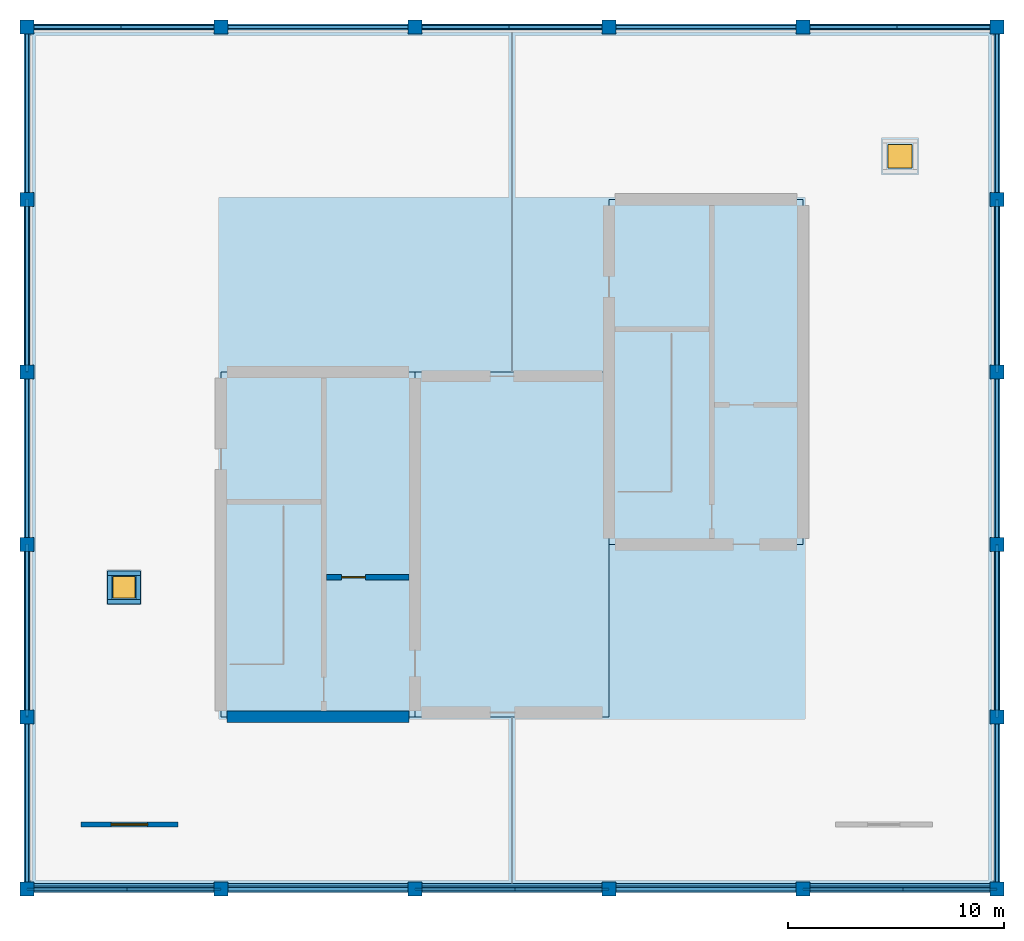
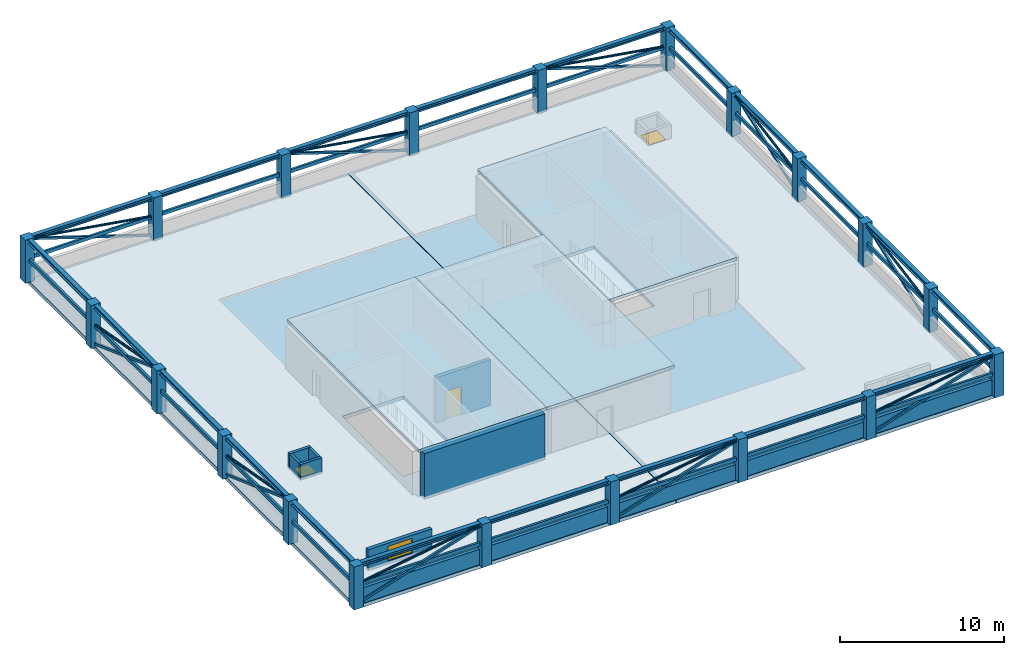
# One storey, part 1 of 3: 40 members, 20 beams, 20 columns, 8 walls, 5 slabs, 3 doors, 1 window, 4 openings.
"""IFC4 building model written with IfcOpenShell, lengths in metres."""

from ifc_helpers import new_model, si_unit, direction, frame, frame_2d, origin, origin_2d, place, context, subcontext, project, spatial, polyline, rectangle, hollow_rectangle, hollow_circle, i_section, outline, extrude, material, layer, layer_set, material_profile, profile_set, type_object, element, fill, save


model = new_model("IFC4")

# Units and contexts
model_context = context("Model", 3, precision=1e-05, world=origin(), true_north=direction((0.0, 1.0)))
body_context = subcontext(model_context, "Body", "Model", "MODEL_VIEW")
ifc_project = project(units=[si_unit("LENGTHUNIT", "METRE"), si_unit("AREAUNIT", "SQUARE_METRE"), si_unit("VOLUMEUNIT", "CUBIC_METRE"), si_unit("PLANEANGLEUNIT", "RADIAN"), si_unit("MASSUNIT", "GRAM", prefix="KILO")], contexts=[model_context])

# Site, building, storey
site_placement = place(None, origin())
site = spatial("IfcSite", under=ifc_project, at=site_placement, CompositionType="ELEMENT")
building_placement = place(site_placement, origin())
building = spatial("IfcBuilding", under=site, at=building_placement, Name="Zaverband Oceanarium and Marine Research Institute", CompositionType="ELEMENT")
storey_placement = place(building_placement, frame((0.0, 0.0, 72.89990234375)))
storey = spatial("IfcBuildingStorey", under=building, at=storey_placement, Name="Roof", CompositionType="ELEMENT", Elevation=72.89990234375)

# Columns
ifc_material_1 = material(Name="Concrete C50/60", Category="concrete")
ifc_material_profile_1 = material_profile(ifc_material_1, rectangle(XDim=0.64990234375, YDim=0.64990234375, at=origin_2d()), Name="RC650x650")
ifc_profile_set_1 = profile_set([ifc_material_profile_1], Name="Concrete C50/60")
column_type = type_object("IfcColumnType", Name="COL-C650", PredefinedType="COLUMN", material=ifc_profile_set_1)
for number, where, z_axis, x_axis, name in (
    (1, (9.0, 72.0, 0.0), (0.0, 0.0, 1.0), (1.0, 0.0, 0.0), "Reinforced concrete column RC650x650 COL-C650"),
    (2, (18.0, 72.0, 0.0), (0.0, 0.0, 1.0), (1.0, 0.0, 0.0), "Reinforced concrete column RC650x650 COL-C650"),
    (3, (27.0, 72.0, 0.0), (0.0, 0.0, 1.0), (1.0, 0.0, 0.0), "Reinforced concrete column RC650x650 COL-C650"),
    (4, (36.0, 72.0, 0.0), (0.0, 0.0, 1.0), (1.0, 0.0, 0.0), "Reinforced concrete column RC650x650 COL-C650"),
    (5, (45.0, 72.0, 0.0), (0.0, 0.0, 1.0), (1.0, 0.0, 0.0), "Reinforced concrete column RC650x650 COL-C650"),
    (6, (54.0, 72.0, 0.0), (0.0, 0.0, 1.0), (1.0, 0.0, 0.0), "Reinforced concrete column RC650x650 COL-C650"),
    (7, (54.0, 80.0, 0.0), (0.0, 0.0, 1.0), (1.0, 0.0, 0.0), "Reinforced concrete column RC650x650 COL-C650"),
    (8, (54.0, 88.0, 0.0), (0.0, 0.0, 1.0), (1.0, 0.0, 0.0), "Reinforced concrete column RC650x650 COL-C650"),
    (9, (54.0, 96.0, 0.0), (0.0, 0.0, 1.0), (1.0, 0.0, 0.0), "Reinforced concrete column RC650x650 COL-C650"),
    (10, (54.0, 104.0, 0.0), (0.0, 0.0, 1.0), (1.0, 0.0, 0.0), "Reinforced concrete column RC650x650 COL-C650"),
    (11, (54.0, 112.0, 0.0), (0.0, 0.0, 1.0), (1.0, 0.0, 0.0), "Reinforced concrete column RC650x650 COL-C650"),
    (12, (45.0, 112.0, 0.0), (0.0, 0.0, 1.0), (1.0, 0.0, 0.0), "Reinforced concrete column RC650x650 COL-C650"),
    (13, (36.0, 112.0, 0.0), (0.0, 0.0, 1.0), (1.0, 0.0, 0.0), "Reinforced concrete column RC650x650 COL-C650"),
    (14, (27.0, 112.0, 0.0), (0.0, 0.0, 1.0), (1.0, 0.0, 0.0), "Reinforced concrete column RC650x650 COL-C650"),
    (15, (18.0, 112.0, 0.0), (0.0, 0.0, 1.0), (1.0, 0.0, 0.0), "Reinforced concrete column RC650x650 COL-C650"),
    (16, (9.0, 112.0, 0.0), (0.0, 0.0, 1.0), (1.0, 0.0, 0.0), "Reinforced concrete column RC650x650 COL-C650"),
    (17, (9.0, 104.0, 0.0), (0.0, 0.0, 1.0), (1.0, 0.0, 0.0), "Reinforced concrete column RC650x650 COL-C650"),
    (18, (9.0, 96.0, 0.0), (0.0, 0.0, 1.0), (1.0, 0.0, 0.0), "Reinforced concrete column RC650x650 COL-C650"),
    (19, (9.0, 88.0, 0.0), (0.0, 0.0, 1.0), (1.0, 0.0, 0.0), "Reinforced concrete column RC650x650 COL-C650"),
    (20, (9.0, 80.0, 0.0), (0.0, 0.0, 1.0), (1.0, 0.0, 0.0), "Reinforced concrete column RC650x650 COL-C650"),
):
    element("IfcColumn", number, at=place(storey_placement, frame(where, z_axis=z_axis, x_axis=x_axis)), inside=storey, type_object=column_type, Name=name, PredefinedType="COLUMN", context=body_context, shape_type="SweptSolid", body=[
        extrude(rectangle(XDim=0.64990234375, YDim=0.64990234375, at=origin_2d()), origin(), (0.0, 0.0, 1.0), 3.2001953125),
    ])

# Members
ifc_material_2 = material(Name="Steel S355", Category="steel")
ifc_material_profile_2 = material_profile(ifc_material_2, hollow_rectangle(XDim=0.14990234375, YDim=0.14990234375, WallThickness=0.008056640625, at=origin_2d()), Name="SHS150x150x8")
ifc_profile_set_2 = profile_set([ifc_material_profile_2], Name="Steel S355")
member_type_1 = type_object("IfcMemberType", Name="BR-04", PredefinedType="BRACE", material=ifc_profile_set_2)
for number, where, z_axis, x_axis, name in (
    (21, (9.0, 72.0, 0.150146484375), (0.951811258605, 0.0, 0.306684411071), (0.0, 1.0, 0.0), "Diagonal lateral brace BR-04"),
    (22, (27.0, 72.0, 0.150146484375), (0.951811258605, 0.0, 0.306684411071), (0.0, 1.0, 0.0), "Diagonal lateral brace BR-04"),
    (23, (45.0, 72.0, 0.150146484375), (0.951811258605, 0.0, 0.306684411071), (0.0, 1.0, 0.0), "Diagonal lateral brace BR-04"),
):
    element("IfcMember", number, at=place(storey_placement, frame(where, z_axis=z_axis, x_axis=x_axis)), inside=storey, type_object=member_type_1, Name=name, PredefinedType="BRACE", context=body_context, shape_type="SweptSolid", body=[
        extrude(hollow_rectangle(XDim=0.14990234375, YDim=0.14990234375, WallThickness=0.008056640625, at=origin_2d()), origin(), (0.0, 0.0, 1.0), 9.45556640625),
    ])
for number, where, z_axis, x_axis, name in (
    (24, (54.0, 80.0, 0.150146484375), (0.0, 0.940139742093, 0.340789180194), (-1.0, 0.0, 0.0), "Diagonal lateral brace BR-04"),
    (25, (54.0, 96.0, 0.150146484375), (0.0, 0.940139742093, 0.340789180194), (-1.0, 0.0, 0.0), "Diagonal lateral brace BR-04"),
):
    element("IfcMember", number, at=place(storey_placement, frame(where, z_axis=z_axis, x_axis=x_axis)), inside=storey, type_object=member_type_1, Name=name, PredefinedType="BRACE", context=body_context, shape_type="SweptSolid", body=[
        extrude(hollow_rectangle(XDim=0.14990234375, YDim=0.14990234375, WallThickness=0.008056640625, at=origin_2d()), origin(), (0.0, 0.0, 1.0), 8.50927734375),
    ])
for number, where, z_axis, x_axis, name in (
    (26, (54.0, 112.0, 0.150146484375), (-0.951811258605, 0.0, 0.306684411071), (0.0, -1.0, 0.0), "Diagonal lateral brace BR-04"),
    (27, (36.0, 112.0, 0.150146484375), (-0.951811258605, 0.0, 0.306684411071), (0.0, -1.0, 0.0), "Diagonal lateral brace BR-04"),
    (28, (18.0, 112.0, 0.150146484375), (-0.951811258605, 0.0, 0.306684411071), (0.0, -1.0, 0.0), "Diagonal lateral brace BR-04"),
):
    element("IfcMember", number, at=place(storey_placement, frame(where, z_axis=z_axis, x_axis=x_axis)), inside=storey, type_object=member_type_1, Name=name, PredefinedType="BRACE", context=body_context, shape_type="SweptSolid", body=[
        extrude(hollow_rectangle(XDim=0.14990234375, YDim=0.14990234375, WallThickness=0.008056640625, at=origin_2d()), origin(), (0.0, 0.0, 1.0), 9.45556640625),
    ])
for number, where, z_axis, x_axis, name in (
    (29, (9.0, 104.0, 0.150146484375), (0.0, -0.940139742093, 0.340789180194), (1.0, 0.0, 0.0), "Diagonal lateral brace BR-04"),
    (30, (9.0, 88.0, 0.150146484375), (0.0, -0.940139742093, 0.340789180194), (1.0, 0.0, 0.0), "Diagonal lateral brace BR-04"),
):
    element("IfcMember", number, at=place(storey_placement, frame(where, z_axis=z_axis, x_axis=x_axis)), inside=storey, type_object=member_type_1, Name=name, PredefinedType="BRACE", context=body_context, shape_type="SweptSolid", body=[
        extrude(hollow_rectangle(XDim=0.14990234375, YDim=0.14990234375, WallThickness=0.008056640625, at=origin_2d()), origin(), (0.0, 0.0, 1.0), 8.50927734375),
    ])
ifc_material_profile_3 = material_profile(ifc_material_2, hollow_rectangle(XDim=0.14990234375, YDim=0.25, WallThickness=0.010009765625, at=origin_2d()), Name="RHS250x150x10")
ifc_profile_set_3 = profile_set([ifc_material_profile_3], Name="Steel S355")
member_type_2 = type_object("IfcMemberType", Name="CHD-RHS250", PredefinedType="CHORD", material=ifc_profile_set_3)
for number, where, z_axis, x_axis, name in (
    (31, (9.0, 72.0, 1.60009765625), (1.0, 0.0, 0.0), (0.0, 1.0, 0.0), "Truss / crown chord CHD-RHS250"),
    (32, (18.0, 72.0, 1.60009765625), (1.0, 0.0, 0.0), (0.0, 1.0, 0.0), "Truss / crown chord CHD-RHS250"),
    (33, (27.0, 72.0, 1.60009765625), (1.0, 0.0, 0.0), (0.0, 1.0, 0.0), "Truss / crown chord CHD-RHS250"),
    (34, (36.0, 72.0, 1.60009765625), (1.0, 0.0, 0.0), (0.0, 1.0, 0.0), "Truss / crown chord CHD-RHS250"),
    (35, (45.0, 72.0, 1.60009765625), (1.0, 0.0, 0.0), (0.0, 1.0, 0.0), "Truss / crown chord CHD-RHS250"),
):
    element("IfcMember", number, at=place(storey_placement, frame(where, z_axis=z_axis, x_axis=x_axis)), inside=storey, type_object=member_type_2, Name=name, PredefinedType="CHORD", context=body_context, shape_type="SweptSolid", body=[
        extrude(hollow_rectangle(XDim=0.14990234375, YDim=0.25, WallThickness=0.010009765625, at=origin_2d()), origin(), (0.0, 0.0, 1.0), 9.0),
    ])
for number, where, z_axis, x_axis, name in (
    (36, (54.0, 72.0, 1.60009765625), (0.0, 1.0, 0.0), (-1.0, 0.0, 0.0), "Truss / crown chord CHD-RHS250"),
    (37, (54.0, 80.0, 1.60009765625), (0.0, 1.0, 0.0), (-1.0, 0.0, 0.0), "Truss / crown chord CHD-RHS250"),
    (38, (54.0, 88.0, 1.60009765625), (0.0, 1.0, 0.0), (-1.0, 0.0, 0.0), "Truss / crown chord CHD-RHS250"),
    (39, (54.0, 96.0, 1.60009765625), (0.0, 1.0, 0.0), (-1.0, 0.0, 0.0), "Truss / crown chord CHD-RHS250"),
    (40, (54.0, 104.0, 1.60009765625), (0.0, 1.0, 0.0), (-1.0, 0.0, 0.0), "Truss / crown chord CHD-RHS250"),
):
    element("IfcMember", number, at=place(storey_placement, frame(where, z_axis=z_axis, x_axis=x_axis)), inside=storey, type_object=member_type_2, Name=name, PredefinedType="CHORD", context=body_context, shape_type="SweptSolid", body=[
        extrude(hollow_rectangle(XDim=0.14990234375, YDim=0.25, WallThickness=0.010009765625, at=origin_2d()), origin(), (0.0, 0.0, 1.0), 8.0),
    ])
for number, where, z_axis, x_axis, name in (
    (41, (54.0, 112.0, 1.60009765625), (-1.0, 0.0, 0.0), (0.0, -1.0, 0.0), "Truss / crown chord CHD-RHS250"),
    (42, (45.0, 112.0, 1.60009765625), (-1.0, 0.0, 0.0), (0.0, -1.0, 0.0), "Truss / crown chord CHD-RHS250"),
    (43, (36.0, 112.0, 1.60009765625), (-1.0, 0.0, 0.0), (0.0, -1.0, 0.0), "Truss / crown chord CHD-RHS250"),
    (44, (27.0, 112.0, 1.60009765625), (-1.0, 0.0, 0.0), (0.0, -1.0, 0.0), "Truss / crown chord CHD-RHS250"),
    (45, (18.0, 112.0, 1.60009765625), (-1.0, 0.0, 0.0), (0.0, -1.0, 0.0), "Truss / crown chord CHD-RHS250"),
):
    element("IfcMember", number, at=place(storey_placement, frame(where, z_axis=z_axis, x_axis=x_axis)), inside=storey, type_object=member_type_2, Name=name, PredefinedType="CHORD", context=body_context, shape_type="SweptSolid", body=[
        extrude(hollow_rectangle(XDim=0.14990234375, YDim=0.25, WallThickness=0.010009765625, at=origin_2d()), origin(), (0.0, 0.0, 1.0), 9.0),
    ])
for number, where, z_axis, x_axis, name in (
    (46, (9.0, 112.0, 1.60009765625), (0.0, -1.0, 0.0), (1.0, 0.0, 0.0), "Truss / crown chord CHD-RHS250"),
    (47, (9.0, 104.0, 1.60009765625), (0.0, -1.0, 0.0), (1.0, 0.0, 0.0), "Truss / crown chord CHD-RHS250"),
    (48, (9.0, 96.0, 1.60009765625), (0.0, -1.0, 0.0), (1.0, 0.0, 0.0), "Truss / crown chord CHD-RHS250"),
    (49, (9.0, 88.0, 1.60009765625), (0.0, -1.0, 0.0), (1.0, 0.0, 0.0), "Truss / crown chord CHD-RHS250"),
    (50, (9.0, 80.0, 1.60009765625), (0.0, -1.0, 0.0), (1.0, 0.0, 0.0), "Truss / crown chord CHD-RHS250"),
):
    element("IfcMember", number, at=place(storey_placement, frame(where, z_axis=z_axis, x_axis=x_axis)), inside=storey, type_object=member_type_2, Name=name, PredefinedType="CHORD", context=body_context, shape_type="SweptSolid", body=[
        extrude(hollow_rectangle(XDim=0.14990234375, YDim=0.25, WallThickness=0.010009765625, at=origin_2d()), origin(), (0.0, 0.0, 1.0), 8.0),
    ])

# Beams
ifc_material_profile_4 = material_profile(ifc_material_2, i_section(OverallWidth=0.300048828125, OverallDepth=0.300048828125, WebThickness=0.010986328125, FlangeThickness=0.01904296875, FilletRadius=0.027099609375, at=origin_2d()), Name="HEB300")
ifc_profile_set_4 = profile_set([ifc_material_profile_4], Name="Steel S355")
beam_type = type_object("IfcBeamType", Name="SB-HEB300", PredefinedType="BEAM", material=ifc_profile_set_4)
for number, where, z_axis, x_axis, name in (
    (51, (9.0, 72.0, 3.050048828125), (1.0, 0.0, 0.0), (0.0, 1.0, 0.0), "Crown frame edge girder SB-HEB300"),
    (52, (18.0, 72.0, 3.050048828125), (1.0, 0.0, 0.0), (0.0, 1.0, 0.0), "Crown frame edge girder SB-HEB300"),
    (53, (27.0, 72.0, 3.050048828125), (1.0, 0.0, 0.0), (0.0, 1.0, 0.0), "Crown frame edge girder SB-HEB300"),
    (54, (36.0, 72.0, 3.050048828125), (1.0, 0.0, 0.0), (0.0, 1.0, 0.0), "Crown frame edge girder SB-HEB300"),
    (55, (45.0, 72.0, 3.050048828125), (1.0, 0.0, 0.0), (0.0, 1.0, 0.0), "Crown frame edge girder SB-HEB300"),
):
    element("IfcBeam", number, at=place(storey_placement, frame(where, z_axis=z_axis, x_axis=x_axis)), inside=storey, type_object=beam_type, Name=name, PredefinedType="BEAM", context=body_context, shape_type="SweptSolid", body=[
        extrude(i_section(OverallWidth=0.300048828125, OverallDepth=0.300048828125, WebThickness=0.010986328125, FlangeThickness=0.01904296875, FilletRadius=0.027099609375, at=origin_2d()), origin(), (0.0, 0.0, 1.0), 9.0),
    ])
for number, where, z_axis, x_axis, name in (
    (56, (54.0, 72.0, 3.050048828125), (0.0, 1.0, 0.0), (-1.0, 0.0, 0.0), "Crown frame edge girder SB-HEB300"),
    (57, (54.0, 80.0, 3.050048828125), (0.0, 1.0, 0.0), (-1.0, 0.0, 0.0), "Crown frame edge girder SB-HEB300"),
    (58, (54.0, 88.0, 3.050048828125), (0.0, 1.0, 0.0), (-1.0, 0.0, 0.0), "Crown frame edge girder SB-HEB300"),
    (59, (54.0, 96.0, 3.050048828125), (0.0, 1.0, 0.0), (-1.0, 0.0, 0.0), "Crown frame edge girder SB-HEB300"),
    (60, (54.0, 104.0, 3.050048828125), (0.0, 1.0, 0.0), (-1.0, 0.0, 0.0), "Crown frame edge girder SB-HEB300"),
):
    element("IfcBeam", number, at=place(storey_placement, frame(where, z_axis=z_axis, x_axis=x_axis)), inside=storey, type_object=beam_type, Name=name, PredefinedType="BEAM", context=body_context, shape_type="SweptSolid", body=[
        extrude(i_section(OverallWidth=0.300048828125, OverallDepth=0.300048828125, WebThickness=0.010986328125, FlangeThickness=0.01904296875, FilletRadius=0.027099609375, at=origin_2d()), origin(), (0.0, 0.0, 1.0), 8.0),
    ])
for number, where, z_axis, x_axis, name in (
    (61, (54.0, 112.0, 3.050048828125), (-1.0, 0.0, 0.0), (0.0, -1.0, 0.0), "Crown frame edge girder SB-HEB300"),
    (62, (45.0, 112.0, 3.050048828125), (-1.0, 0.0, 0.0), (0.0, -1.0, 0.0), "Crown frame edge girder SB-HEB300"),
    (63, (36.0, 112.0, 3.050048828125), (-1.0, 0.0, 0.0), (0.0, -1.0, 0.0), "Crown frame edge girder SB-HEB300"),
    (64, (27.0, 112.0, 3.050048828125), (-1.0, 0.0, 0.0), (0.0, -1.0, 0.0), "Crown frame edge girder SB-HEB300"),
    (65, (18.0, 112.0, 3.050048828125), (-1.0, 0.0, 0.0), (0.0, -1.0, 0.0), "Crown frame edge girder SB-HEB300"),
):
    element("IfcBeam", number, at=place(storey_placement, frame(where, z_axis=z_axis, x_axis=x_axis)), inside=storey, type_object=beam_type, Name=name, PredefinedType="BEAM", context=body_context, shape_type="SweptSolid", body=[
        extrude(i_section(OverallWidth=0.300048828125, OverallDepth=0.300048828125, WebThickness=0.010986328125, FlangeThickness=0.01904296875, FilletRadius=0.027099609375, at=origin_2d()), origin(), (0.0, 0.0, 1.0), 9.0),
    ])
for number, where, z_axis, x_axis, name in (
    (66, (9.0, 112.0, 3.050048828125), (0.0, -1.0, 0.0), (1.0, 0.0, 0.0), "Crown frame edge girder SB-HEB300"),
    (67, (9.0, 104.0, 3.050048828125), (0.0, -1.0, 0.0), (1.0, 0.0, 0.0), "Crown frame edge girder SB-HEB300"),
    (68, (9.0, 96.0, 3.050048828125), (0.0, -1.0, 0.0), (1.0, 0.0, 0.0), "Crown frame edge girder SB-HEB300"),
    (69, (9.0, 88.0, 3.050048828125), (0.0, -1.0, 0.0), (1.0, 0.0, 0.0), "Crown frame edge girder SB-HEB300"),
    (70, (9.0, 80.0, 3.050048828125), (0.0, -1.0, 0.0), (1.0, 0.0, 0.0), "Crown frame edge girder SB-HEB300"),
):
    element("IfcBeam", number, at=place(storey_placement, frame(where, z_axis=z_axis, x_axis=x_axis)), inside=storey, type_object=beam_type, Name=name, PredefinedType="BEAM", context=body_context, shape_type="SweptSolid", body=[
        extrude(i_section(OverallWidth=0.300048828125, OverallDepth=0.300048828125, WebThickness=0.010986328125, FlangeThickness=0.01904296875, FilletRadius=0.027099609375, at=origin_2d()), origin(), (0.0, 0.0, 1.0), 8.0),
    ])

# Members
ifc_material_profile_5 = material_profile(ifc_material_2, hollow_circle(Radius=0.084228515625, WallThickness=0.00634765625, at=origin_2d()), Name="CHS168x6.3")
ifc_profile_set_5 = profile_set([ifc_material_profile_5], Name="Steel S355")
member_type_3 = type_object("IfcMemberType", Name="STR-CHS168", PredefinedType="STRUT", material=ifc_profile_set_5)
for number, where, z_axis, x_axis, name in (
    (71, (9.0, 72.0, 1.60009765625), (0.987269760288, 0.0, 0.159054771765), (0.0, 1.0, 0.0), "Canopy / tank strut STR-CHS168"),
    (72, (27.0, 72.0, 1.60009765625), (0.987269760288, 0.0, 0.159054771765), (0.0, 1.0, 0.0), "Canopy / tank strut STR-CHS168"),
    (73, (45.0, 72.0, 1.60009765625), (0.987269760288, 0.0, 0.159054771765), (0.0, 1.0, 0.0), "Canopy / tank strut STR-CHS168"),
):
    element("IfcMember", number, at=place(storey_placement, frame(where, z_axis=z_axis, x_axis=x_axis)), inside=storey, type_object=member_type_3, Name=name, PredefinedType="STRUT", context=body_context, shape_type="SweptSolid", body=[
        extrude(hollow_circle(Radius=0.084228515625, WallThickness=0.00634765625, at=origin_2d()), origin(), (0.0, 0.0, 1.0), 9.115966796875),
    ])
for number, where, z_axis, x_axis, name in (
    (74, (54.0, 80.0, 1.60009765625), (0.0, 0.983969211964, 0.178338413997), (-1.0, 0.0, 0.0), "Canopy / tank strut STR-CHS168"),
    (75, (54.0, 96.0, 1.60009765625), (0.0, 0.983969211964, 0.178338413997), (-1.0, 0.0, 0.0), "Canopy / tank strut STR-CHS168"),
):
    element("IfcMember", number, at=place(storey_placement, frame(where, z_axis=z_axis, x_axis=x_axis)), inside=storey, type_object=member_type_3, Name=name, PredefinedType="STRUT", context=body_context, shape_type="SweptSolid", body=[
        extrude(hollow_circle(Radius=0.084228515625, WallThickness=0.00634765625, at=origin_2d()), origin(), (0.0, 0.0, 1.0), 8.13037109375),
    ])
for number, where, z_axis, x_axis, name in (
    (76, (54.0, 112.0, 1.60009765625), (-0.987269760288, 0.0, 0.159054771765), (0.0, -1.0, 0.0), "Canopy / tank strut STR-CHS168"),
    (77, (36.0, 112.0, 1.60009765625), (-0.987269760288, 0.0, 0.159054771765), (0.0, -1.0, 0.0), "Canopy / tank strut STR-CHS168"),
    (78, (18.0, 112.0, 1.60009765625), (-0.987269760288, 0.0, 0.159054771765), (0.0, -1.0, 0.0), "Canopy / tank strut STR-CHS168"),
):
    element("IfcMember", number, at=place(storey_placement, frame(where, z_axis=z_axis, x_axis=x_axis)), inside=storey, type_object=member_type_3, Name=name, PredefinedType="STRUT", context=body_context, shape_type="SweptSolid", body=[
        extrude(hollow_circle(Radius=0.084228515625, WallThickness=0.00634765625, at=origin_2d()), origin(), (0.0, 0.0, 1.0), 9.115966796875),
    ])
for number, where, z_axis, x_axis, name in (
    (79, (9.0, 104.0, 1.60009765625), (0.0, -0.983969211964, 0.178338413997), (1.0, 0.0, 0.0), "Canopy / tank strut STR-CHS168"),
    (80, (9.0, 88.0, 1.60009765625), (0.0, -0.983969211964, 0.178338413997), (1.0, 0.0, 0.0), "Canopy / tank strut STR-CHS168"),
):
    element("IfcMember", number, at=place(storey_placement, frame(where, z_axis=z_axis, x_axis=x_axis)), inside=storey, type_object=member_type_3, Name=name, PredefinedType="STRUT", context=body_context, shape_type="SweptSolid", body=[
        extrude(hollow_circle(Radius=0.084228515625, WallThickness=0.00634765625, at=origin_2d()), origin(), (0.0, 0.0, 1.0), 8.13037109375),
    ])

# Slabs
ifc_material_3 = material(Name="Concrete C40/50", Category="concrete")
ifc_layer_1 = layer(ifc_material_3, 0.219970703125, Name="Concrete C40/50")
ifc_layer_set_1 = layer_set([ifc_layer_1], Name="Concrete C40/50")
slab_type_1 = type_object("IfcSlabType", Name="SLB-CAP-220", PredefinedType="FLOOR", material=ifc_layer_set_1)
slab_1_placement = place(storey_placement, frame((0.0, 0.0, 3.380126953125)))
element("IfcSlab", 81, at=slab_1_placement, inside=storey, type_object=slab_type_1, Name="Overrun cap deck slab SLB-CAP-220", PredefinedType="FLOOR", context=body_context, shape_type="SweptSolid", body=[
    extrude(outline(polyline([(18.0, 80.0), (27.0, 80.0), (27.0, 96.0), (18.0, 96.0), (18.0, 80.0)])), origin(), (0.0, 0.0, 1.0), 0.219970703125),
])
slab_2_placement = place(storey_placement, frame((0.0, 0.0, 3.380126953125)))
element("IfcSlab", 82, at=slab_2_placement, inside=storey, type_object=slab_type_1, Name="Overrun cap deck slab SLB-CAP-220", PredefinedType="FLOOR", context=body_context, shape_type="SweptSolid", body=[
    extrude(outline(polyline([(36.0, 88.0), (45.0, 88.0), (45.0, 104.0), (36.0, 104.0), (36.0, 88.0)])), origin(), (0.0, 0.0, 1.0), 0.219970703125),
])
slab_3_placement = place(storey_placement, frame((0.0, 0.0, 3.380126953125)))
element("IfcSlab", 83, at=slab_3_placement, inside=storey, type_object=slab_type_1, Name="Overrun cap deck slab SLB-CAP-220", PredefinedType="FLOOR", context=body_context, shape_type="SweptSolid", body=[
    extrude(outline(polyline([(27.0, 80.0), (36.0, 80.0), (36.0, 96.0), (27.0, 96.0), (27.0, 80.0)])), origin(), (0.0, 0.0, 1.0), 0.219970703125),
])

# Slab, opening, door
ifc_layer_2 = layer(ifc_material_3, 0.260009765625, Name="Concrete C40/50")
ifc_layer_set_2 = layer_set([ifc_layer_2], Name="Concrete C40/50")
slab_type_2 = type_object("IfcSlabType", Name="SLB-ROOF-260", PredefinedType="ROOF", material=ifc_layer_set_2)
slab_4_placement = place(storey_placement, frame((0.0, 0.0, -0.260009765625)))
slab_4 = element("IfcSlab", 84, at=slab_4_placement, inside=storey, type_object=slab_type_2, Name="Solar roof maintenance deck slab SLB-ROOF-260", PredefinedType="ROOF", context=body_context, shape_type="SweptSolid", body=[
    extrude(outline(polyline([(9.0, 112.0), (31.485107421875, 112.0), (31.485107421875, 72.0), (9.0, 72.0), (9.0, 112.0)]), holes=[polyline([(18.35009765625, 82.5), (22.64990234375, 82.5), (22.64990234375, 89.85009765625), (18.35009765625, 89.85009765625), (18.35009765625, 82.5)])]), origin(), (0.0, 0.0, 1.0), 0.260009765625),
])
opening_1_placement = place(slab_4_placement, frame((13.5, 86.0, -0.011962890625)))
opening_1 = element("IfcOpeningElement", 85, at=opening_1_placement, cuts=slab_4, Name="Opening RH-01", PredefinedType="OPENING", context=body_context, shape_type="SweptSolid", body=[
    extrude(rectangle(XDim=1.0, YDim=1.0, at=origin_2d()), origin(), (0.0, 0.0, 1.0), 0.283935546875),
])
door_type_1 = type_object("IfcDoorType", Name="RH-01", OperationType="SWING_FIXED_LEFT", PredefinedType="TRAPDOOR", material=ifc_material_2)
door_1_placement = place(slab_4_placement, frame((13.5, 86.0, 0.2099609375)))
door_1 = element("IfcDoor", 86, at=door_1_placement, inside=storey, type_object=door_type_1, Name="Insulated roof maintenance access hatch RH-01", OperationType="SWING_FIXED_LEFT", OverallHeight=1.0, OverallWidth=1.0, PredefinedType="TRAPDOOR", context=body_context, shape_type="SweptSolid", body=[
    extrude(rectangle(XDim=1.0, YDim=1.0, at=origin_2d()), origin(), (0.0, 0.0, 1.0), 0.050048828125),
])
fill(opening_1, door_1)

slab_5_placement = place(storey_placement, frame((0.0, 0.0, -0.260009765625)))
slab_5 = element("IfcSlab", 87, at=slab_5_placement, inside=storey, type_object=slab_type_2, Name="Solar roof maintenance deck slab SLB-ROOF-260", PredefinedType="ROOF", context=body_context, shape_type="SweptSolid", body=[
    extrude(outline(polyline([(31.514892578125, 112.0), (54.0, 112.0), (54.0, 72.0), (31.514892578125, 72.0), (31.514892578125, 112.0)]), holes=[polyline([(36.35009765625, 90.5), (40.64990234375, 90.5), (40.64990234375, 97.85009765625), (36.35009765625, 97.85009765625), (36.35009765625, 90.5)])]), origin(), (0.0, 0.0, 1.0), 0.260009765625),
])
opening_2_placement = place(slab_5_placement, frame((49.5, 106.0, -0.011962890625)))
opening_2 = element("IfcOpeningElement", 88, at=opening_2_placement, cuts=slab_5, Name="Opening RH-02", PredefinedType="OPENING", context=body_context, shape_type="SweptSolid", body=[
    extrude(rectangle(XDim=1.10009765625, YDim=1.10009765625, at=origin_2d()), origin(), (0.0, 0.0, 1.0), 0.283935546875),
])
door_type_2 = type_object("IfcDoorType", Name="RH-02", OperationType="SWING_FIXED_LEFT", PredefinedType="TRAPDOOR", material=ifc_material_2)
door_2_placement = place(slab_5_placement, frame((49.5, 106.0, 0.2099609375)))
door_2 = element("IfcDoor", 89, at=door_2_placement, inside=storey, type_object=door_type_2, Name="Tank / plant roof access hatch RH-02", OperationType="SWING_FIXED_LEFT", OverallHeight=1.10009765625, OverallWidth=1.10009765625, PredefinedType="TRAPDOOR", context=body_context, shape_type="SweptSolid", body=[
    extrude(rectangle(XDim=1.10009765625, YDim=1.10009765625, at=origin_2d()), origin(), (0.0, 0.0, 1.0), 0.050048828125),
])
fill(opening_2, door_2)

# Wall, opening, window
ifc_layer_3 = layer(ifc_material_3, 0.2451171875, Name="Concrete C40/50")
ifc_layer_set_3 = layer_set([ifc_layer_3], Name="Concrete C40/50")
wall_type_1 = type_object("IfcWallType", Name="CRB-245", PredefinedType="PARAPET", material=ifc_layer_set_3)
wall_1_placement = place(storey_placement, frame((11.5, 75.0, 0.0), z_axis=(0.0, 0.0, 1.0), x_axis=(1.0, 0.0, 0.0)))
wall_1 = element("IfcWall", 90, at=wall_1_placement, inside=storey, type_object=wall_type_1, Name="Roof parapet upstand CRB-245", PredefinedType="PARAPET", context=body_context, shape_type="SweptSolid", body=[
    extrude(rectangle(XDim=4.5, YDim=0.2451171875, at=frame_2d((2.25, 0.0))), origin(), (0.0, 0.0, 1.0), 1.550048828125),
])
opening_3_placement = place(wall_1_placement, frame((1.39990234375, 0.0, 0.219970703125)))
opening_3 = element("IfcOpeningElement", 91, at=opening_3_placement, cuts=wall_1, Name="Opening SKY-1700x1100", PredefinedType="OPENING", context=body_context, shape_type="SweptSolid", body=[
    extrude(rectangle(XDim=1.699951171875, YDim=1.10009765625, at=frame_2d((0.85009765625, 0.550048828125))), frame((0.0, 0.134521484375, 0.0), z_axis=(0.0, -1.0, 0.0), x_axis=(1.0, 0.0, 0.0)), (0.0, 0.0, 1.0), 0.26904296875),
])
ifc_material_4 = material(Name="Thermally broken aluminium and laminated solar-control glass", Category="aluminium")
window_type = type_object("IfcWindowType", Name="SKY-1700x1100", PartitioningType="SINGLE_PANEL", PredefinedType="SKYLIGHT", material=ifc_material_4)
window_placement = place(opening_3_placement, origin())
window = element("IfcWindow", 92, at=window_placement, inside=storey, type_object=window_type, Name="Insulated roof skylight SKY-1700x1100", OverallHeight=1.10009765625, OverallWidth=1.699951171875, PartitioningType="SINGLE_PANEL", PredefinedType="SKYLIGHT", context=body_context, shape_type="SweptSolid", body=[
    extrude(rectangle(XDim=1.699951171875, YDim=1.10009765625, at=frame_2d((0.85009765625, 0.550048828125))), frame((0.0, 0.030029296875, 0.0), z_axis=(0.0, -1.0, 0.0), x_axis=(1.0, 0.0, 0.0)), (0.0, 0.0, 1.0), 0.06005859375),
])
fill(opening_3, window)

# Walls
ifc_layer_4 = layer(ifc_material_1, 0.550048828125, Name="Concrete C50/60")
ifc_layer_set_4 = layer_set([ifc_layer_4], Name="Concrete C50/60")
wall_type_2 = type_object("IfcWallType", Name="CW-01", PredefinedType="SHEAR", material=ifc_layer_set_4)
wall_2_placement = place(storey_placement, frame((18.27490234375, 80.0, 0.0), z_axis=(0.0, 0.0, 1.0), x_axis=(1.0, 0.0, 0.0)))
element("IfcWall", 93, at=wall_2_placement, inside=storey, type_object=wall_type_2, Name="Structural shear wall CW-01", PredefinedType="SHEAR", context=body_context, shape_type="SweptSolid", body=[
    extrude(rectangle(XDim=8.4501953125, YDim=0.550048828125, at=frame_2d((4.22509765625, 0.0))), origin(), (0.0, 0.0, 1.0), 3.380126953125),
])
ifc_layer_5 = layer(ifc_material_3, 0.195068359375, Name="Concrete C40/50")
ifc_layer_set_5 = layer_set([ifc_layer_5], Name="Concrete C40/50")
wall_type_3 = type_object("IfcWallType", Name="PAR-195", PredefinedType="PARAPET", material=ifc_layer_set_5)
for number, where, z_axis, x_axis, name in (
    (94, (12.742431640625, 85.340087890625, 0.0), (0.0, 0.0, 1.0), (1.0, 0.0, 0.0), "Roof parapet upstand PAR-195"),
    (95, (12.742431640625, 86.659912109375, 0.0), (0.0, 0.0, 1.0), (1.0, 0.0, 0.0), "Roof parapet upstand PAR-195"),
):
    element("IfcWall", number, at=place(storey_placement, frame(where, z_axis=z_axis, x_axis=x_axis)), inside=storey, type_object=wall_type_3, Name=name, PredefinedType="PARAPET", context=body_context, shape_type="SweptSolid", body=[
        extrude(rectangle(XDim=1.51513671875, YDim=0.195068359375, at=frame_2d((0.757568359375, 0.0))), origin(), (0.0, 0.0, 1.0), 1.150146484375),
    ])
for number, where, z_axis, x_axis, name in (
    (96, (12.840087890625, 85.4375, 0.0), (0.0, 0.0, 1.0), (0.0, 1.0, 0.0), "Roof parapet upstand PAR-195"),
    (97, (14.159912109375, 85.4375, 0.0), (0.0, 0.0, 1.0), (0.0, 1.0, 0.0), "Roof parapet upstand PAR-195"),
):
    element("IfcWall", number, at=place(storey_placement, frame(where, z_axis=z_axis, x_axis=x_axis)), inside=storey, type_object=wall_type_3, Name=name, PredefinedType="PARAPET", context=body_context, shape_type="SweptSolid", body=[
        extrude(rectangle(XDim=1.125, YDim=0.195068359375, at=frame_2d((0.5625, 0.0))), origin(), (0.0, 0.0, 1.0), 1.150146484375),
    ])
ifc_layer_6 = layer(ifc_material_3, 0.22998046875, Name="Concrete C40/50")
ifc_layer_set_6 = layer_set([ifc_layer_6], Name="Concrete C40/50")
wall_type_4 = type_object("IfcWallType", Name="PAR-230", PredefinedType="PARAPET", material=ifc_layer_set_6)
wall_3_placement = place(storey_placement, frame((9.199951171875, 72.14990234375, 0.0), z_axis=(0.0, 0.0, 1.0), x_axis=(1.0, 0.0, 0.0)))
element("IfcWall", 98, at=wall_3_placement, inside=storey, type_object=wall_type_4, Name="Roof parapet upstand PAR-230", PredefinedType="PARAPET", context=body_context, shape_type="SweptSolid", body=[
    extrude(rectangle(XDim=44.60009765625, YDim=0.22998046875, at=frame_2d((22.300048828125, 0.0))), origin(), (0.0, 0.0, 1.0), 1.150146484375),
])

# Wall, opening, door
ifc_layer_7 = layer(ifc_material_1, 0.25, Name="Concrete C50/60")
ifc_layer_set_7 = layer_set([ifc_layer_7], Name="Concrete C50/60")
wall_type_5 = type_object("IfcWallType", Name="PW-CORE-250", PredefinedType="SOLIDWALL", material=ifc_layer_set_7)
wall_4_placement = place(storey_placement, frame((22.905029296875, 86.47509765625, 0.0), z_axis=(0.0, 0.0, 1.0), x_axis=(1.0, 0.0, 0.0)))
wall_4 = element("IfcWall", 99, at=wall_4_placement, inside=storey, type_object=wall_type_5, Name="Structural concrete wall PW-CORE-250", PredefinedType="SOLIDWALL", context=body_context, shape_type="SweptSolid", body=[
    extrude(rectangle(XDim=3.820068359375, YDim=0.25, at=frame_2d((1.91015625, 0.0))), origin(), (0.0, 0.0, 1.0), 3.380126953125),
])
opening_4_placement = place(wall_4_placement, frame((0.695068359375, 0.0, 0.0)))
opening_4 = element("IfcOpeningElement", 100, at=opening_4_placement, cuts=wall_4, Name="Opening LD-01", PredefinedType="OPENING", context=body_context, shape_type="SweptSolid", body=[
    extrude(rectangle(XDim=1.10009765625, YDim=2.1201171875, at=frame_2d((0.550048828125, 1.06005859375))), frame((0.0, 0.136962890625, 0.0), z_axis=(0.0, -1.0, 0.0), x_axis=(1.0, 0.0, 0.0)), (0.0, 0.0, 1.0), 0.27392578125),
])
door_type_3 = type_object("IfcDoorType", Name="LD-01", OperationType="DOUBLE_DOOR_SLIDING", PredefinedType="DOOR", material=ifc_material_2)
door_3_placement = place(opening_4_placement, origin())
door_3 = element("IfcDoor", 101, at=door_3_placement, inside=storey, type_object=door_type_3, Name="Firefighting lift sliding landing door LD-01", OperationType="DOUBLE_DOOR_SLIDING", OverallHeight=2.1201171875, OverallWidth=1.10009765625, PredefinedType="DOOR", context=body_context, shape_type="SweptSolid", body=[
    extrude(rectangle(XDim=1.10009765625, YDim=2.1201171875, at=frame_2d((0.550048828125, 1.06005859375))), frame((0.0, 0.02490234375, 0.0), z_axis=(0.0, -1.0, 0.0), x_axis=(1.0, 0.0, 0.0)), (0.0, 0.0, 1.0), 0.050048828125),
])
fill(opening_4, door_3)

save(model, "model.ifc")
